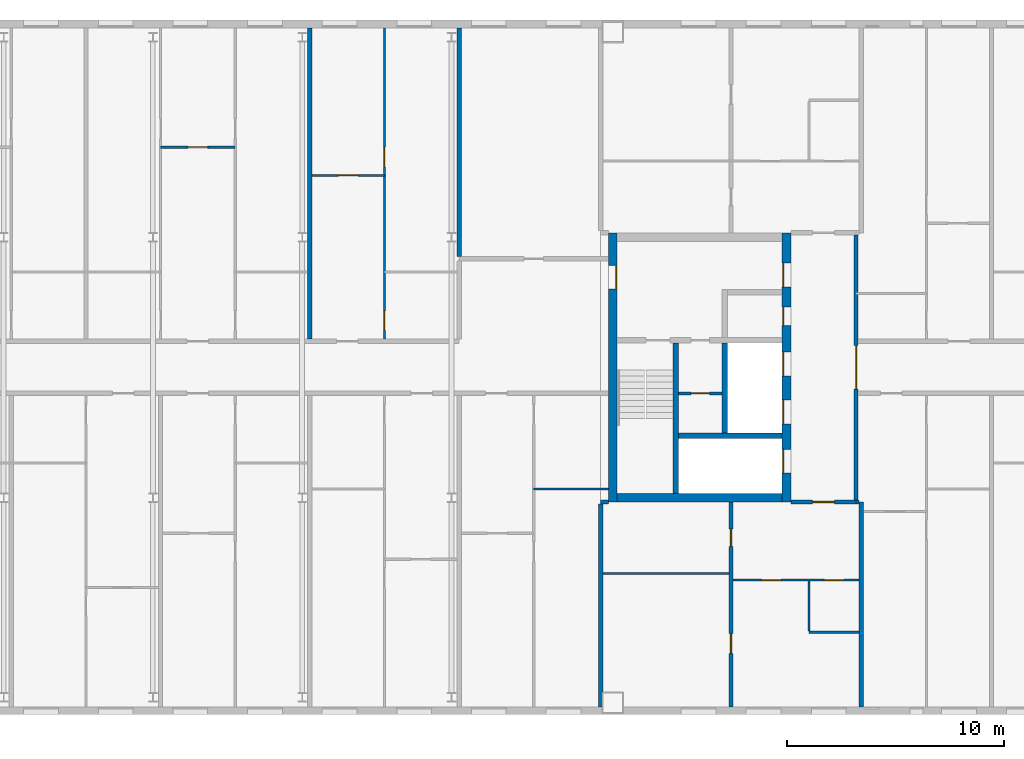
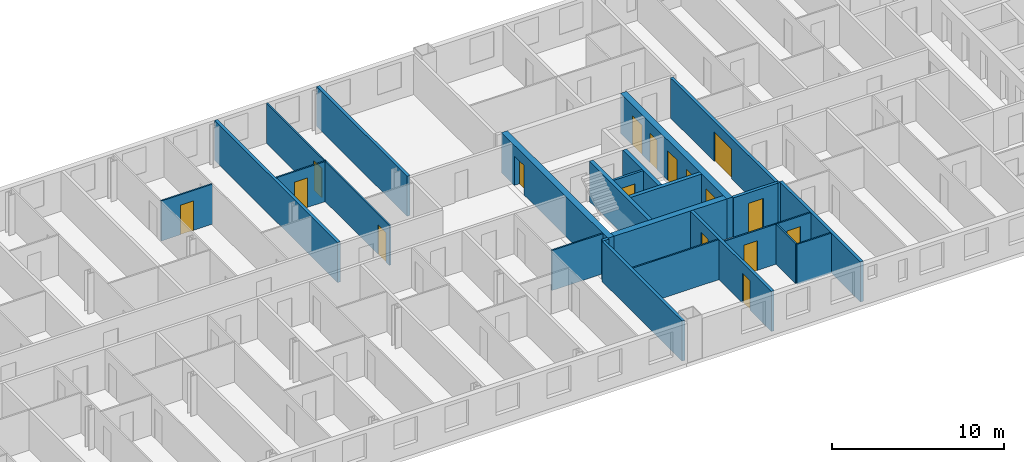
# One storey, part 13 of 19: 24 walls, 17 doors, 17 openings.
"""IFC4 building model written with IfcOpenShell, lengths in metres."""

from ifc_helpers import new_model, si_unit, direction, frame, frame_2d, origin, place, context, subcontext, project, spatial, rectangle, extrude, material, layer, layer_set, type_object, element, fill, save


model = new_model("IFC4")

# Units and contexts
model_context = context("Model", 3, precision=1e-05, world=origin(), true_north=direction((0.0, 1.0)))
body_context = subcontext(model_context, "Body", "Model", "MODEL_VIEW")
ifc_project = project(units=[si_unit("LENGTHUNIT", "METRE"), si_unit("AREAUNIT", "SQUARE_METRE"), si_unit("VOLUMEUNIT", "CUBIC_METRE"), si_unit("PLANEANGLEUNIT", "RADIAN"), si_unit("MASSUNIT", "GRAM", prefix="KILO")], contexts=[model_context])

# Site, building, storey
site_placement = place(None, origin())
site = spatial("IfcSite", under=ifc_project, at=site_placement, CompositionType="ELEMENT")
building_placement = place(site_placement, origin())
building = spatial("IfcBuilding", under=site, at=building_placement, Name="Tuart Gate Housing", CompositionType="ELEMENT")
storey_placement = place(building_placement, frame((0.0, 0.0, 224.5)))
storey = spatial("IfcBuildingStorey", under=building, at=storey_placement, Name="L63", CompositionType="ELEMENT", Elevation=224.5)

# Wall, opening, door
ifc_material_1 = material(Name="Plasterboard partition")
ifc_layer_1 = layer(ifc_material_1, 0.14990234375)
ifc_layer_set_1 = layer_set([ifc_layer_1], Name="Core partition 150")
wall_type_1 = type_object("IfcWallType", Name="Core partition 150", PredefinedType="PARTITIONING", material=ifc_layer_set_1)
wall_1_placement = place(storey_placement, frame((136.5849609375, 68.800048828125, 0.0), z_axis=(0.0, 0.0, 1.0), x_axis=(-1.0, 0.0, 0.0)))
wall_1 = element("IfcWall", 1, at=wall_1_placement, inside=storey, type_object=wall_type_1, Name="Core partition BG.2", PredefinedType="PARTITIONING", context=body_context, shape_type="SweptSolid", body=[
    extrude(rectangle(XDim=2.0, YDim=0.14990234375, at=frame_2d((1.0, 0.0))), origin(), (0.0, 0.0, 1.0), 2.85009765625),
])
opening_1_placement = place(wall_1_placement, frame((0.574951171875, 0.0, 0.0)))
opening_1 = element("IfcOpeningElement", 2, at=opening_1_placement, cuts=wall_1, Name="Opening D2421", PredefinedType="OPENING", context=body_context, shape_type="SweptSolid", body=[
    extrude(rectangle(XDim=0.85009765625, YDim=2.10009765625, at=frame_2d((0.425048828125, 1.050048828125))), frame((0.0, 0.0849609375, 0.0), z_axis=(0.0, -1.0, 0.0), x_axis=(1.0, 0.0, 0.0)), (0.0, 0.0, 1.0), 0.169921875),
])
ifc_material_2 = material(Name="Steel fire door", Category="steel")
door_type_1 = type_object("IfcDoorType", Name="Service door 850 x 2100 RH", OperationType="SINGLE_SWING_RIGHT", PredefinedType="DOOR", material=ifc_material_2)
door_1_placement = place(opening_1_placement, frame((0.85009765625, 0.0, 0.0), z_axis=(0.0, 0.0, 1.0), x_axis=(-1.0, 0.0, 0.0)))
door_1 = element("IfcDoor", 3, at=door_1_placement, inside=storey, type_object=door_type_1, Name="Service room door BG.W2", OperationType="SINGLE_SWING_RIGHT", OverallHeight=2.10009765625, OverallWidth=0.85009765625, PredefinedType="DOOR", context=body_context, shape_type="SweptSolid", body=[
    extrude(rectangle(XDim=0.85009765625, YDim=2.10009765625, at=frame_2d((0.425048828125, 1.050048828125))), frame((0.0, 0.025146484375, 0.0), z_axis=(0.0, -1.0, 0.0), x_axis=(1.0, 0.0, 0.0)), (0.0, 0.0, 1.0), 0.050048828125),
])
fill(opening_1, door_1)

# Walls
ifc_material_3 = material(Name="Concrete C40", Category="concrete")
ifc_layer_2 = layer(ifc_material_3, 0.25)
ifc_layer_set_2 = layer_set([ifc_layer_2], Name="Core wall 250 C40")
wall_type_2 = type_object("IfcWallType", Name="Core wall 250 C40", PredefinedType="SHEAR", material=ifc_layer_set_2)
wall_2_placement = place(storey_placement, frame((139.360107421875, 66.85009765625, 0.0), z_axis=(0.0, 0.0, 1.0), x_axis=(-1.0, 0.0, 0.0)))
element("IfcWall", 4, at=wall_2_placement, inside=storey, type_object=wall_type_2, Name="Core wall BG.1", PredefinedType="SHEAR", context=body_context, shape_type="SweptSolid", body=[
    extrude(rectangle(XDim=4.775146484375, YDim=0.25, at=frame_2d((2.3876953125, 0.0))), origin(), (0.0, 0.0, 1.0), 2.85009765625),
])
wall_3_placement = place(storey_placement, frame((136.7099609375, 66.97509765625, 0.0), z_axis=(0.0, 0.0, 1.0), x_axis=(0.0, 1.0, 0.0)))
element("IfcWall", 5, at=wall_3_placement, inside=storey, type_object=wall_type_2, Name="Core wall BG.5", PredefinedType="SHEAR", context=body_context, shape_type="SweptSolid", body=[
    extrude(rectangle(XDim=4.14990234375, YDim=0.25, at=frame_2d((2.074951171875, 0.0))), origin(), (0.0, 0.0, 1.0), 2.85009765625),
])
wall_4_placement = place(storey_placement, frame((134.4599609375, 64.199951171875, 0.0), z_axis=(0.0, 0.0, 1.0), x_axis=(0.0, 1.0, 0.0)))
element("IfcWall", 6, at=wall_4_placement, inside=storey, type_object=wall_type_2, Name="Core wall BG.7", PredefinedType="SHEAR", context=body_context, shape_type="SweptSolid", body=[
    extrude(rectangle(XDim=6.925048828125, YDim=0.25, at=frame_2d((3.46240234375, 0.0))), origin(), (0.0, 0.0, 1.0), 2.85009765625),
])

# Wall, openings, doors
ifc_material_4 = material(Name="Concrete C40", Category="concrete")
ifc_layer_3 = layer(ifc_material_4, 0.39990234375)
ifc_layer_set_3 = layer_set([ifc_layer_3], Name="Core wall 400 C40")
wall_type_3 = type_object("IfcWallType", Name="Core wall 400 C40", PredefinedType="SHEAR", material=ifc_layer_set_3)
wall_5_placement = place(storey_placement, frame((139.56005859375, 63.800048828125, 0.0), z_axis=(0.0, 0.0, 1.0), x_axis=(0.0, 1.0, 0.0)))
wall_5 = element("IfcWall", 7, at=wall_5_placement, inside=storey, type_object=wall_type_3, Name="Core wall BG front", PredefinedType="SHEAR", context=body_context, shape_type="SweptSolid", body=[
    extrude(rectangle(XDim=12.39990234375, YDim=0.39990234375, at=frame_2d((6.199951171875, 0.0))), origin(), (0.0, 0.0, 1.0), 2.85009765625),
])
opening_2_placement = place(wall_5_placement, frame((1.324951171875, 0.0, 0.0)))
opening_2 = element("IfcOpeningElement", 8, at=opening_2_placement, cuts=wall_5, Name="Opening LD-FB1", PredefinedType="OPENING", context=body_context, shape_type="SweptSolid", body=[
    extrude(rectangle(XDim=1.10009765625, YDim=2.10009765625, at=frame_2d((0.550048828125, 1.050048828125))), frame((0.0, 0.2099609375, 0.0), z_axis=(0.0, -1.0, 0.0), x_axis=(1.0, 0.0, 0.0)), (0.0, 0.0, 1.0), 0.419921875),
])
opening_3_placement = place(wall_5_placement, frame((3.60009765625, 0.0, 0.0)))
opening_3 = element("IfcOpeningElement", 9, at=opening_3_placement, cuts=wall_5, Name="Opening LD-LB1", PredefinedType="OPENING", context=body_context, shape_type="SweptSolid", body=[
    extrude(rectangle(XDim=1.10009765625, YDim=2.10009765625, at=frame_2d((0.550048828125, 1.050048828125))), frame((0.0, 0.2099609375, 0.0), z_axis=(0.0, -1.0, 0.0), x_axis=(1.0, 0.0, 0.0)), (0.0, 0.0, 1.0), 0.419921875),
])
opening_4_placement = place(wall_5_placement, frame((5.800048828125, 0.0, 0.0)))
opening_4 = element("IfcOpeningElement", 10, at=opening_4_placement, cuts=wall_5, Name="Opening LD-LB2", PredefinedType="OPENING", context=body_context, shape_type="SweptSolid", body=[
    extrude(rectangle(XDim=1.10009765625, YDim=2.10009765625, at=frame_2d((0.550048828125, 1.050048828125))), frame((0.0, 0.2099609375, 0.0), z_axis=(0.0, -1.0, 0.0), x_axis=(1.0, 0.0, 0.0)), (0.0, 0.0, 1.0), 0.419921875),
])
opening_5_placement = place(wall_5_placement, frame((9.89990234375, 0.0, 0.0)))
opening_5 = element("IfcOpeningElement", 11, at=opening_5_placement, cuts=wall_5, Name="Opening D2413", PredefinedType="OPENING", context=body_context, shape_type="SweptSolid", body=[
    extrude(rectangle(XDim=1.10009765625, YDim=2.10009765625, at=frame_2d((0.550048828125, 1.050048828125))), frame((0.0, 0.2099609375, 0.0), z_axis=(0.0, -1.0, 0.0), x_axis=(1.0, 0.0, 0.0)), (0.0, 0.0, 1.0), 0.419921875),
])
opening_6_placement = place(wall_5_placement, frame((8.125, 0.0, 0.0)))
opening_6 = element("IfcOpeningElement", 12, at=opening_6_placement, cuts=wall_5, Name="Opening D2414", PredefinedType="OPENING", context=body_context, shape_type="SweptSolid", body=[
    extrude(rectangle(XDim=0.85009765625, YDim=2.10009765625, at=frame_2d((0.425048828125, 1.050048828125))), frame((0.0, 0.2099609375, 0.0), z_axis=(0.0, -1.0, 0.0), x_axis=(1.0, 0.0, 0.0)), (0.0, 0.0, 1.0), 0.419921875),
])
ifc_material_5 = material(Name="Stainless steel", Category="steel")
door_type_2 = type_object("IfcDoorType", Name="Landing door 1100 x 2100", OperationType="DOUBLE_DOOR_SLIDING", PredefinedType="DOOR", material=ifc_material_5)
door_2_placement = place(opening_2_placement, origin())
door_2 = element("IfcDoor", 13, at=door_2_placement, inside=storey, type_object=door_type_2, Name="Lift landing door FB1", OperationType="DOUBLE_DOOR_SLIDING", OverallHeight=2.10009765625, OverallWidth=1.10009765625, PredefinedType="DOOR", context=body_context, shape_type="SweptSolid", body=[
    extrude(rectangle(XDim=1.10009765625, YDim=2.10009765625, at=frame_2d((0.550048828125, 1.050048828125))), frame((0.0, 0.18505859375, 0.0), z_axis=(0.0, -1.0, 0.0), x_axis=(1.0, 0.0, 0.0)), (0.0, 0.0, 1.0), 0.050048828125),
])
fill(opening_2, door_2)
door_3_placement = place(opening_3_placement, origin())
door_3 = element("IfcDoor", 14, at=door_3_placement, inside=storey, type_object=door_type_2, Name="Lift landing door LB1", OperationType="DOUBLE_DOOR_SLIDING", OverallHeight=2.10009765625, OverallWidth=1.10009765625, PredefinedType="DOOR", context=body_context, shape_type="SweptSolid", body=[
    extrude(rectangle(XDim=1.10009765625, YDim=2.10009765625, at=frame_2d((0.550048828125, 1.050048828125))), frame((0.0, 0.18505859375, 0.0), z_axis=(0.0, -1.0, 0.0), x_axis=(1.0, 0.0, 0.0)), (0.0, 0.0, 1.0), 0.050048828125),
])
fill(opening_3, door_3)
door_4_placement = place(opening_4_placement, origin())
door_4 = element("IfcDoor", 15, at=door_4_placement, inside=storey, type_object=door_type_2, Name="Lift landing door LB2", OperationType="DOUBLE_DOOR_SLIDING", OverallHeight=2.10009765625, OverallWidth=1.10009765625, PredefinedType="DOOR", context=body_context, shape_type="SweptSolid", body=[
    extrude(rectangle(XDim=1.10009765625, YDim=2.10009765625, at=frame_2d((0.550048828125, 1.050048828125))), frame((0.0, 0.18505859375, 0.0), z_axis=(0.0, -1.0, 0.0), x_axis=(1.0, 0.0, 0.0)), (0.0, 0.0, 1.0), 0.050048828125),
])
fill(opening_4, door_4)
ifc_material_6 = material(Name="Steel fire door", Category="steel")
door_type_3 = type_object("IfcDoorType", Name="Lobby door 1100 x 2100", OperationType="SINGLE_SWING_LEFT", PredefinedType="DOOR", material=ifc_material_6)
door_5_placement = place(opening_5_placement, origin())
door_5 = element("IfcDoor", 16, at=door_5_placement, inside=storey, type_object=door_type_3, Name="Lobby entry door BG.EN", OperationType="SINGLE_SWING_LEFT", OverallHeight=2.10009765625, OverallWidth=1.10009765625, PredefinedType="DOOR", context=body_context, shape_type="SweptSolid", body=[
    extrude(rectangle(XDim=1.10009765625, YDim=2.10009765625, at=frame_2d((0.550048828125, 1.050048828125))), frame((0.0, 0.18505859375, 0.0), z_axis=(0.0, -1.0, 0.0), x_axis=(1.0, 0.0, 0.0)), (0.0, 0.0, 1.0), 0.050048828125),
])
fill(opening_5, door_5)
ifc_material_7 = material(Name="Steel fire door", Category="steel")
door_type_4 = type_object("IfcDoorType", Name="Service door 850 x 2100", OperationType="SINGLE_SWING_LEFT", PredefinedType="DOOR", material=ifc_material_7)
door_6_placement = place(opening_6_placement, origin())
door_6 = element("IfcDoor", 17, at=door_6_placement, inside=storey, type_object=door_type_4, Name="Service room door BG.T1", OperationType="SINGLE_SWING_LEFT", OverallHeight=2.10009765625, OverallWidth=0.85009765625, PredefinedType="DOOR", context=body_context, shape_type="SweptSolid", body=[
    extrude(rectangle(XDim=0.85009765625, YDim=2.10009765625, at=frame_2d((0.425048828125, 1.050048828125))), frame((0.0, 0.18505859375, 0.0), z_axis=(0.0, -1.0, 0.0), x_axis=(1.0, 0.0, 0.0)), (0.0, 0.0, 1.0), 0.050048828125),
])
fill(opening_6, door_6)

# Wall, opening, door
wall_6_placement = place(storey_placement, frame((131.56005859375, 63.800048828125, 0.0), z_axis=(0.0, 0.0, 1.0), x_axis=(0.0, 1.0, 0.0)))
wall_6 = element("IfcWall", 18, at=wall_6_placement, inside=storey, type_object=wall_type_3, Name="Core wall BG back", PredefinedType="SHEAR", context=body_context, shape_type="SweptSolid", body=[
    extrude(rectangle(XDim=12.39990234375, YDim=0.39990234375, at=frame_2d((6.199951171875, 0.0))), origin(), (0.0, 0.0, 1.0), 2.85009765625),
])
opening_7_placement = place(wall_6_placement, frame((9.800048828125, 0.0, 0.0)))
opening_7 = element("IfcOpeningElement", 19, at=opening_7_placement, cuts=wall_6, Name="Opening D2412", PredefinedType="OPENING", context=body_context, shape_type="SweptSolid", body=[
    extrude(rectangle(XDim=1.10009765625, YDim=2.10009765625, at=frame_2d((0.550048828125, 1.050048828125))), frame((0.0, 0.2099609375, 0.0), z_axis=(0.0, -1.0, 0.0), x_axis=(1.0, 0.0, 0.0)), (0.0, 0.0, 1.0), 0.419921875),
])
door_7_placement = place(opening_7_placement, frame((1.10009765625, 0.0, 0.0), z_axis=(0.0, 0.0, 1.0), x_axis=(-1.0, 0.0, 0.0)))
door_7 = element("IfcDoor", 20, at=door_7_placement, inside=storey, type_object=door_type_3, Name="Link door BG.LK", OperationType="SINGLE_SWING_LEFT", OverallHeight=2.10009765625, OverallWidth=1.10009765625, PredefinedType="DOOR", context=body_context, shape_type="SweptSolid", body=[
    extrude(rectangle(XDim=1.10009765625, YDim=2.10009765625, at=frame_2d((0.550048828125, 1.050048828125))), frame((0.0, 0.184814453125, 0.0), z_axis=(0.0, -1.0, 0.0), x_axis=(1.0, 0.0, 0.0)), (0.0, 0.0, 1.0), 0.050048828125),
])
fill(opening_7, door_7)

# Wall
wall_7_placement = place(storey_placement, frame((139.360107421875, 64.0, 0.0), z_axis=(0.0, 0.0, 1.0), x_axis=(-1.0, 0.0, 0.0)))
element("IfcWall", 21, at=wall_7_placement, inside=storey, type_object=wall_type_3, Name="Core wall BG south", PredefinedType="SHEAR", context=body_context, shape_type="SweptSolid", body=[
    extrude(rectangle(XDim=7.60009765625, YDim=0.39990234375, at=frame_2d((3.800048828125, 0.0))), origin(), (0.0, 0.0, 1.0), 2.85009765625),
])

# Wall, opening, door
ifc_material_8 = material(Name="Concrete masonry 15 MPa", Category="masonry")
ifc_layer_4 = layer(ifc_material_8, 0.199951171875)
ifc_layer_set_4 = layer_set([ifc_layer_4], Name="Enclosure wall masonry 200")
wall_type_4 = type_object("IfcWallType", Name="Enclosure wall masonry 200", PredefinedType="PARTITIONING", material=ifc_layer_set_4)
wall_8_placement = place(storey_placement, frame((139.760009765625, 63.800048828125, 0.0), z_axis=(0.0, 0.0, 1.0), x_axis=(1.0, 0.0, 0.0)))
wall_8 = element("IfcWall", 22, at=wall_8_placement, inside=storey, type_object=wall_type_4, Name="Enclosure wall masonry 200", PredefinedType="PARTITIONING", context=body_context, shape_type="SweptSolid", body=[
    extrude(rectangle(XDim=3.0, YDim=0.199951171875, at=frame_2d((1.5, 0.0))), origin(), (0.0, 0.0, 1.0), 2.85009765625),
])
opening_8_placement = place(wall_8_placement, frame((1.0, 0.0, 0.0)))
opening_8 = element("IfcOpeningElement", 23, at=opening_8_placement, cuts=wall_8, Name="Opening D2426", PredefinedType="OPENING", context=body_context, shape_type="SweptSolid", body=[
    extrude(rectangle(XDim=1.0, YDim=2.10009765625, at=frame_2d((0.5, 1.050048828125))), frame((0.0, 0.10986328125, 0.0), z_axis=(0.0, -1.0, 0.0), x_axis=(1.0, 0.0, 0.0)), (0.0, 0.0, 1.0), 0.219970703125),
])
ifc_material_9 = material(Name="Timber door leaf in steel frame", Category="steel")
door_type_5 = type_object("IfcDoorType", Name="Flat entrance door 1000", OperationType="SINGLE_SWING_LEFT", PredefinedType="DOOR", material=ifc_material_9)
door_8_placement = place(opening_8_placement, frame((1.0, 0.0, 0.0), z_axis=(0.0, 0.0, 1.0), x_axis=(-1.0, 0.0, 0.0)))
door_8 = element("IfcDoor", 24, at=door_8_placement, inside=storey, type_object=door_type_5, Name="Flat entrance door", OperationType="SINGLE_SWING_LEFT", OverallHeight=2.10009765625, OverallWidth=1.0, PredefinedType="DOOR", context=body_context, shape_type="SweptSolid", body=[
    extrude(rectangle(XDim=1.0, YDim=2.10009765625, at=frame_2d((0.5, 1.050048828125))), frame((0.0, 0.025146484375, 0.0), z_axis=(0.0, -1.0, 0.0), x_axis=(1.0, 0.0, 0.0)), (0.0, 0.0, 1.0), 0.050048828125),
])
fill(opening_8, door_8)

ifc_material_10 = material(Name="Plasterboard partition")
ifc_layer_5 = layer(ifc_material_10, 0.199951171875)
ifc_layer_set_5 = layer_set([ifc_layer_5], Name="Lobby wall 200")
wall_type_5 = type_object("IfcWallType", Name="Lobby wall 200", PredefinedType="PARTITIONING", material=ifc_layer_set_5)
wall_9_placement = place(storey_placement, frame((142.760009765625, 63.89990234375, 0.0), z_axis=(0.0, 0.0, 1.0), x_axis=(0.0, 1.0, 0.0)))
wall_9 = element("IfcWall", 25, at=wall_9_placement, inside=storey, type_object=wall_type_5, Name="Lift lobby wall BG", PredefinedType="PARTITIONING", context=body_context, shape_type="SweptSolid", body=[
    extrude(rectangle(XDim=12.2001953125, YDim=0.199951171875, at=frame_2d((6.10009765625, 0.0))), origin(), (0.0, 0.0, 1.0), 2.85009765625),
])
opening_9_placement = place(wall_9_placement, frame((5.10009765625, 0.0, 0.0)))
opening_9 = element("IfcOpeningElement", 26, at=opening_9_placement, cuts=wall_9, Name="Opening D2415", PredefinedType="OPENING", context=body_context, shape_type="SweptSolid", body=[
    extrude(rectangle(XDim=2.0, YDim=2.10009765625, at=frame_2d((1.0, 1.050048828125))), frame((0.0, 0.10986328125, 0.0), z_axis=(0.0, -1.0, 0.0), x_axis=(1.0, 0.0, 0.0)), (0.0, 0.0, 1.0), 0.219970703125),
])
ifc_material_11 = material(Name="Steel fire door", Category="steel")
door_type_6 = type_object("IfcDoorType", Name="Smoke door 2000 x 2100", OperationType="DOUBLE_DOOR_SINGLE_SWING", PredefinedType="DOOR", material=ifc_material_11)
door_9_placement = place(opening_9_placement, origin())
door_9 = element("IfcDoor", 27, at=door_9_placement, inside=storey, type_object=door_type_6, Name="Lift lobby smoke door BG", OperationType="DOUBLE_DOOR_SINGLE_SWING", OverallHeight=2.10009765625, OverallWidth=2.0, PredefinedType="DOOR", context=body_context, shape_type="SweptSolid", body=[
    extrude(rectangle(XDim=2.0, YDim=2.10009765625, at=frame_2d((1.0, 1.050048828125))), frame((0.0, 0.02490234375, 0.0), z_axis=(0.0, -1.0, 0.0), x_axis=(1.0, 0.0, 0.0)), (0.0, 0.0, 1.0), 0.050048828125),
])
fill(opening_9, door_9)

# Wall
ifc_material_12 = material(Name="Gypsum board on steel studs", Category="steel")
ifc_layer_6 = layer(ifc_material_12, 0.10009765625)
ifc_layer_set_6 = layer_set([ifc_layer_6], Name="Partition 100")
wall_type_6 = type_object("IfcWallType", Name="Partition 100", PredefinedType="PARTITIONING", material=ifc_layer_set_6)
wall_10_placement = place(storey_placement, frame((140.60009765625, 57.800048828125, 0.0), z_axis=(0.0, 0.0, 1.0), x_axis=(1.0, 0.0, 0.0)))
element("IfcWall", 28, at=wall_10_placement, inside=storey, type_object=wall_type_6, Name="Partition 100", PredefinedType="PARTITIONING", context=body_context, shape_type="SweptSolid", body=[
    extrude(rectangle(XDim=2.2998046875, YDim=0.10009765625, at=frame_2d((1.14990234375, 0.0))), origin(), (0.0, 0.0, 1.0), 2.85009765625),
])

# Wall, openings, doors
wall_11_placement = place(storey_placement, frame((137.10009765625, 60.199951171875, 0.0), z_axis=(0.0, 0.0, 1.0), x_axis=(1.0, 0.0, 0.0)))
wall_11 = element("IfcWall", 29, at=wall_11_placement, inside=storey, type_object=wall_type_6, Name="Partition 100", PredefinedType="PARTITIONING", context=body_context, shape_type="SweptSolid", body=[
    extrude(rectangle(XDim=5.7998046875, YDim=0.10009765625, at=frame_2d((2.89990234375, 0.0))), origin(), (0.0, 0.0, 1.0), 2.85009765625),
])
opening_10_placement = place(wall_11_placement, frame((1.300048828125, 0.0, 0.0)))
opening_10 = element("IfcOpeningElement", 30, at=opening_10_placement, cuts=wall_11, Name="Opening D2435", PredefinedType="OPENING", context=body_context, shape_type="SweptSolid", body=[
    extrude(rectangle(XDim=0.89990234375, YDim=2.10009765625, at=frame_2d((0.449951171875, 1.050048828125))), frame((0.0, 0.06005859375, 0.0), z_axis=(0.0, -1.0, 0.0), x_axis=(1.0, 0.0, 0.0)), (0.0, 0.0, 1.0), 0.1201171875),
])
opening_11_placement = place(wall_11_placement, frame((4.199951171875, 0.0, 0.0)))
opening_11 = element("IfcOpeningElement", 31, at=opening_11_placement, cuts=wall_11, Name="Opening D2434", PredefinedType="OPENING", context=body_context, shape_type="SweptSolid", body=[
    extrude(rectangle(XDim=0.89990234375, YDim=2.10009765625, at=frame_2d((0.449951171875, 1.050048828125))), frame((0.0, 0.06005859375, 0.0), z_axis=(0.0, -1.0, 0.0), x_axis=(1.0, 0.0, 0.0)), (0.0, 0.0, 1.0), 0.1201171875),
])
ifc_material_13 = material(Name="Timber door leaf in steel frame", Category="steel")
door_type_7 = type_object("IfcDoorType", Name="Bathroom door 900 RH", OperationType="SINGLE_SWING_RIGHT", PredefinedType="DOOR", material=ifc_material_13)
door_10_placement = place(opening_11_placement, frame((0.89990234375, 0.0, 0.0), z_axis=(0.0, 0.0, 1.0), x_axis=(-1.0, 0.0, 0.0)))
door_10 = element("IfcDoor", 32, at=door_10_placement, inside=storey, type_object=door_type_7, Name="Bathroom door", OperationType="SINGLE_SWING_RIGHT", OverallHeight=2.10009765625, OverallWidth=0.89990234375, PredefinedType="DOOR", context=body_context, shape_type="SweptSolid", body=[
    extrude(rectangle(XDim=0.89990234375, YDim=2.10009765625, at=frame_2d((0.449951171875, 1.050048828125))), frame((0.0, 0.025146484375, 0.0), z_axis=(0.0, -1.0, 0.0), x_axis=(1.0, 0.0, 0.0)), (0.0, 0.0, 1.0), 0.050048828125),
])
fill(opening_11, door_10)
ifc_material_14 = material(Name="Timber door leaf in steel frame", Category="steel")
door_type_8 = type_object("IfcDoorType", Name="Internal door 900", OperationType="SINGLE_SWING_LEFT", PredefinedType="DOOR", material=ifc_material_14)
door_11_placement = place(opening_10_placement, origin())
door_11 = element("IfcDoor", 33, at=door_11_placement, inside=storey, type_object=door_type_8, Name="Internal door", OperationType="SINGLE_SWING_LEFT", OverallHeight=2.10009765625, OverallWidth=0.89990234375, PredefinedType="DOOR", context=body_context, shape_type="SweptSolid", body=[
    extrude(rectangle(XDim=0.89990234375, YDim=2.10009765625, at=frame_2d((0.449951171875, 1.050048828125))), frame((0.0, 0.02490234375, 0.0), z_axis=(0.0, -1.0, 0.0), x_axis=(1.0, 0.0, 0.0)), (0.0, 0.0, 1.0), 0.050048828125),
])
fill(opening_10, door_11)

# Walls
wall_12_placement = place(storey_placement, frame((131.10009765625, 60.5, 0.0), z_axis=(0.0, 0.0, 1.0), x_axis=(1.0, 0.0, 0.0)))
element("IfcWall", 34, at=wall_12_placement, inside=storey, type_object=wall_type_6, Name="Partition 100", PredefinedType="PARTITIONING", context=body_context, shape_type="SweptSolid", body=[
    extrude(rectangle(XDim=5.7998046875, YDim=0.10009765625, at=frame_2d((2.89990234375, 0.0))), origin(), (0.0, 0.0, 1.0), 2.85009765625),
])
wall_13_placement = place(storey_placement, frame((127.912109375, 64.39990234375, 0.0), z_axis=(0.0, 0.0, 1.0), x_axis=(1.0, 0.0, 0.0)))
element("IfcWall", 35, at=wall_13_placement, inside=storey, type_object=wall_type_6, Name="Partition 100", PredefinedType="PARTITIONING", context=body_context, shape_type="SweptSolid", body=[
    extrude(rectangle(XDim=3.447998046875, YDim=0.10009765625, at=frame_2d((1.72412109375, 0.0))), origin(), (0.0, 0.0, 1.0), 2.85009765625),
])

# Wall, opening, door
wall_14_placement = place(storey_placement, frame((117.699951171875, 78.840087890625, 0.0), z_axis=(0.0, 0.0, 1.0), x_axis=(1.0, 0.0, 0.0)))
wall_14 = element("IfcWall", 36, at=wall_14_placement, inside=storey, type_object=wall_type_6, Name="Partition 100", PredefinedType="PARTITIONING", context=body_context, shape_type="SweptSolid", body=[
    extrude(rectangle(XDim=3.337158203125, YDim=0.10009765625, at=frame_2d((1.66845703125, 0.0))), origin(), (0.0, 0.0, 1.0), 2.85009765625),
])
opening_12_placement = place(wall_14_placement, frame((1.218505859375, 0.0, 0.0)))
opening_12 = element("IfcOpeningElement", 37, at=opening_12_placement, cuts=wall_14, Name="Opening D2335", PredefinedType="OPENING", context=body_context, shape_type="SweptSolid", body=[
    extrude(rectangle(XDim=0.89990234375, YDim=2.10009765625, at=frame_2d((0.449951171875, 1.050048828125))), frame((0.0, 0.06005859375, 0.0), z_axis=(0.0, -1.0, 0.0), x_axis=(1.0, 0.0, 0.0)), (0.0, 0.0, 1.0), 0.1201171875),
])
door_12_placement = place(opening_12_placement, frame((0.89990234375, 0.0, 0.0), z_axis=(0.0, 0.0, 1.0), x_axis=(-1.0, 0.0, 0.0)))
door_12 = element("IfcDoor", 38, at=door_12_placement, inside=storey, type_object=door_type_8, Name="Internal door", OperationType="SINGLE_SWING_LEFT", OverallHeight=2.10009765625, OverallWidth=0.89990234375, PredefinedType="DOOR", context=body_context, shape_type="SweptSolid", body=[
    extrude(rectangle(XDim=0.89990234375, YDim=2.10009765625, at=frame_2d((0.449951171875, 1.050048828125))), frame((0.0, 0.025146484375, 0.0), z_axis=(0.0, -1.0, 0.0), x_axis=(1.0, 0.0, 0.0)), (0.0, 0.0, 1.0), 0.050048828125),
])
fill(opening_12, door_12)

wall_15_placement = place(storey_placement, frame((110.72509765625, 80.139892578125, 0.0), z_axis=(0.0, 0.0, 1.0), x_axis=(1.0, 0.0, 0.0)))
wall_15 = element("IfcWall", 39, at=wall_15_placement, inside=storey, type_object=wall_type_6, Name="Partition 100", PredefinedType="PARTITIONING", context=body_context, shape_type="SweptSolid", body=[
    extrude(rectangle(XDim=3.43701171875, YDim=0.10009765625, at=frame_2d((1.718505859375, 0.0))), origin(), (0.0, 0.0, 1.0), 2.85009765625),
])
opening_13_placement = place(wall_15_placement, frame((1.2685546875, 0.0, 0.0)))
opening_13 = element("IfcOpeningElement", 40, at=opening_13_placement, cuts=wall_15, Name="Opening D2334", PredefinedType="OPENING", context=body_context, shape_type="SweptSolid", body=[
    extrude(rectangle(XDim=0.89990234375, YDim=2.10009765625, at=frame_2d((0.449951171875, 1.050048828125))), frame((0.0, 0.06005859375, 0.0), z_axis=(0.0, -1.0, 0.0), x_axis=(1.0, 0.0, 0.0)), (0.0, 0.0, 1.0), 0.1201171875),
])
ifc_material_15 = material(Name="Timber door leaf in steel frame", Category="steel")
door_type_9 = type_object("IfcDoorType", Name="Internal door 900 RH", OperationType="SINGLE_SWING_RIGHT", PredefinedType="DOOR", material=ifc_material_15)
door_13_placement = place(opening_13_placement, frame((0.89990234375, 0.0, 0.0), z_axis=(0.0, 0.0, 1.0), x_axis=(-1.0, 0.0, 0.0)))
door_13 = element("IfcDoor", 41, at=door_13_placement, inside=storey, type_object=door_type_9, Name="Internal door", OperationType="SINGLE_SWING_RIGHT", OverallHeight=2.10009765625, OverallWidth=0.89990234375, PredefinedType="DOOR", context=body_context, shape_type="SweptSolid", body=[
    extrude(rectangle(XDim=0.89990234375, YDim=2.10009765625, at=frame_2d((0.449951171875, 1.050048828125))), frame((0.0, 0.025146484375, 0.0), z_axis=(0.0, -1.0, 0.0), x_axis=(1.0, 0.0, 0.0)), (0.0, 0.0, 1.0), 0.050048828125),
])
fill(opening_13, door_13)

# Wall, openings, doors
wall_16_placement = place(storey_placement, frame((121.037109375, 71.300048828125, 0.0), z_axis=(0.0, 0.0, 1.0), x_axis=(0.0, 1.0, 0.0)))
wall_16 = element("IfcWall", 42, at=wall_16_placement, inside=storey, type_object=wall_type_6, Name="Partition 100", PredefinedType="PARTITIONING", context=body_context, shape_type="SweptSolid", body=[
    extrude(rectangle(XDim=14.33984375, YDim=0.10009765625, at=frame_2d((7.169921875, 0.0))), origin(), (0.0, 0.0, 1.0), 2.85009765625),
])
opening_14_placement = place(wall_16_placement, frame((7.93994140625, 0.0, 0.0)))
opening_14 = element("IfcOpeningElement", 43, at=opening_14_placement, cuts=wall_16, Name="Opening D2349", PredefinedType="OPENING", context=body_context, shape_type="SweptSolid", body=[
    extrude(rectangle(XDim=0.89990234375, YDim=2.10009765625, at=frame_2d((0.449951171875, 1.050048828125))), frame((0.0, 0.06005859375, 0.0), z_axis=(0.0, -1.0, 0.0), x_axis=(1.0, 0.0, 0.0)), (0.0, 0.0, 1.0), 0.1201171875),
])
opening_15_placement = place(wall_16_placement, frame((0.39990234375, 0.0, 0.0)))
opening_15 = element("IfcOpeningElement", 44, at=opening_15_placement, cuts=wall_16, Name="Opening D2348", PredefinedType="OPENING", context=body_context, shape_type="SweptSolid", body=[
    extrude(rectangle(XDim=0.89990234375, YDim=2.10009765625, at=frame_2d((0.449951171875, 1.050048828125))), frame((0.0, 0.06005859375, 0.0), z_axis=(0.0, -1.0, 0.0), x_axis=(1.0, 0.0, 0.0)), (0.0, 0.0, 1.0), 0.1201171875),
])
door_14_placement = place(opening_15_placement, frame((0.89990234375, 0.0, 0.0), z_axis=(0.0, 0.0, 1.0), x_axis=(-1.0, 0.0, 0.0)))
door_14 = element("IfcDoor", 45, at=door_14_placement, inside=storey, type_object=door_type_7, Name="Bathroom door", OperationType="SINGLE_SWING_RIGHT", OverallHeight=2.10009765625, OverallWidth=0.89990234375, PredefinedType="DOOR", context=body_context, shape_type="SweptSolid", body=[
    extrude(rectangle(XDim=0.89990234375, YDim=2.10009765625, at=frame_2d((0.449951171875, 1.050048828125))), frame((0.0, 0.025146484375, 0.0), z_axis=(0.0, -1.0, 0.0), x_axis=(1.0, 0.0, 0.0)), (0.0, 0.0, 1.0), 0.050048828125),
])
fill(opening_15, door_14)
door_15_placement = place(opening_14_placement, frame((0.89990234375, 0.0, 0.0), z_axis=(0.0, 0.0, 1.0), x_axis=(-1.0, 0.0, 0.0)))
door_15 = element("IfcDoor", 46, at=door_15_placement, inside=storey, type_object=door_type_9, Name="Internal door", OperationType="SINGLE_SWING_RIGHT", OverallHeight=2.10009765625, OverallWidth=0.89990234375, PredefinedType="DOOR", context=body_context, shape_type="SweptSolid", body=[
    extrude(rectangle(XDim=0.89990234375, YDim=2.10009765625, at=frame_2d((0.449951171875, 1.050048828125))), frame((0.0, 0.025146484375, 0.0), z_axis=(0.0, -1.0, 0.0), x_axis=(1.0, 0.0, 0.0)), (0.0, 0.0, 1.0), 0.050048828125),
])
fill(opening_14, door_15)

# Wall
wall_17_placement = place(storey_placement, frame((140.60009765625, 57.85009765625, 0.0), z_axis=(0.0, 0.0, 1.0), x_axis=(0.0, 1.0, 0.0)))
element("IfcWall", 47, at=wall_17_placement, inside=storey, type_object=wall_type_6, Name="Partition 100", PredefinedType="PARTITIONING", context=body_context, shape_type="SweptSolid", body=[
    extrude(rectangle(XDim=2.2998046875, YDim=0.10009765625, at=frame_2d((1.14990234375, 0.0))), origin(), (0.0, 0.0, 1.0), 2.85009765625),
])

# Wall, openings, doors
ifc_material_16 = material(Name="Concrete C40", Category="concrete")
ifc_layer_7 = layer(ifc_material_16, 0.199951171875)
ifc_layer_set_7 = layer_set([ifc_layer_7], Name="Party wall concrete C40 200")
wall_type_7 = type_object("IfcWallType", Name="Party wall concrete C40 200", PredefinedType="SOLIDWALL", material=ifc_layer_set_7)
wall_18_placement = place(storey_placement, frame((137.0, 54.360107421875, 0.0), z_axis=(0.0, 0.0, 1.0), x_axis=(0.0, 1.0, 0.0)))
wall_18 = element("IfcWall", 48, at=wall_18_placement, inside=storey, type_object=wall_type_7, Name="Party wall concrete C40 200", PredefinedType="SOLIDWALL", context=body_context, shape_type="SweptSolid", body=[
    extrude(rectangle(XDim=9.43994140625, YDim=0.199951171875, at=frame_2d((4.719970703125, 0.0))), origin(), (0.0, 0.0, 1.0), 2.85009765625),
])
opening_16_placement = place(wall_18_placement, frame((2.469970703125, 0.0, 0.0)))
opening_16 = element("IfcOpeningElement", 49, at=opening_16_placement, cuts=wall_18, Name="Opening D2438", PredefinedType="OPENING", context=body_context, shape_type="SweptSolid", body=[
    extrude(rectangle(XDim=0.89990234375, YDim=2.10009765625, at=frame_2d((0.449951171875, 1.050048828125))), frame((0.0, 0.10986328125, 0.0), z_axis=(0.0, -1.0, 0.0), x_axis=(1.0, 0.0, 0.0)), (0.0, 0.0, 1.0), 0.219970703125),
])
opening_17_placement = place(wall_18_placement, frame((7.389892578125, 0.0, 0.0)))
opening_17 = element("IfcOpeningElement", 50, at=opening_17_placement, cuts=wall_18, Name="Opening D2439", PredefinedType="OPENING", context=body_context, shape_type="SweptSolid", body=[
    extrude(rectangle(XDim=0.800048828125, YDim=2.10009765625, at=frame_2d((0.39990234375, 1.050048828125))), frame((0.0, 0.10986328125, 0.0), z_axis=(0.0, -1.0, 0.0), x_axis=(1.0, 0.0, 0.0)), (0.0, 0.0, 1.0), 0.219970703125),
])
door_16_placement = place(opening_16_placement, origin())
door_16 = element("IfcDoor", 51, at=door_16_placement, inside=storey, type_object=door_type_8, Name="Internal door", OperationType="SINGLE_SWING_LEFT", OverallHeight=2.10009765625, OverallWidth=0.89990234375, PredefinedType="DOOR", context=body_context, shape_type="SweptSolid", body=[
    extrude(rectangle(XDim=0.89990234375, YDim=2.10009765625, at=frame_2d((0.449951171875, 1.050048828125))), frame((0.0, 0.02490234375, 0.0), z_axis=(0.0, -1.0, 0.0), x_axis=(1.0, 0.0, 0.0)), (0.0, 0.0, 1.0), 0.050048828125),
])
fill(opening_16, door_16)
ifc_material_17 = material(Name="Timber door leaf in steel frame", Category="steel")
door_type_10 = type_object("IfcDoorType", Name="Store door 800", OperationType="SINGLE_SWING_LEFT", PredefinedType="DOOR", material=ifc_material_17)
door_17_placement = place(opening_17_placement, origin())
door_17 = element("IfcDoor", 52, at=door_17_placement, inside=storey, type_object=door_type_10, Name="Store door", OperationType="SINGLE_SWING_LEFT", OverallHeight=2.10009765625, OverallWidth=0.800048828125, PredefinedType="DOOR", context=body_context, shape_type="SweptSolid", body=[
    extrude(rectangle(XDim=0.800048828125, YDim=2.10009765625, at=frame_2d((0.39990234375, 1.050048828125))), frame((0.0, 0.02490234375, 0.0), z_axis=(0.0, -1.0, 0.0), x_axis=(1.0, 0.0, 0.0)), (0.0, 0.0, 1.0), 0.050048828125),
])
fill(opening_17, door_17)

# Walls
wall_19_placement = place(storey_placement, frame((143.0, 54.360107421875, 0.0), z_axis=(0.0, 0.0, 1.0), x_axis=(0.0, 1.0, 0.0)))
element("IfcWall", 53, at=wall_19_placement, inside=storey, type_object=wall_type_7, Name="Party wall concrete C40 200", PredefinedType="SOLIDWALL", context=body_context, shape_type="SweptSolid", body=[
    extrude(rectangle(XDim=9.43994140625, YDim=0.199951171875, at=frame_2d((4.719970703125, 0.0))), origin(), (0.0, 0.0, 1.0), 2.85009765625),
])
ifc_material_18 = material(Name="Concrete masonry 15 MPa", Category="masonry")
ifc_layer_8 = layer(ifc_material_18, 0.199951171875)
ifc_layer_set_8 = layer_set([ifc_layer_8], Name="Party wall masonry 200")
wall_type_8 = type_object("IfcWallType", Name="Party wall masonry 200", PredefinedType="PARTITIONING", material=ifc_layer_set_8)
wall_20_placement = place(storey_placement, frame((131.0, 63.800048828125, 0.0), z_axis=(0.0, 0.0, 1.0), x_axis=(1.0, 0.0, 0.0)))
element("IfcWall", 54, at=wall_20_placement, inside=storey, type_object=wall_type_8, Name="Party wall masonry 200", PredefinedType="PARTITIONING", context=body_context, shape_type="SweptSolid", body=[
    extrude(rectangle(XDim=0.360107421875, YDim=0.199951171875, at=frame_2d((0.18017578125, 0.0))), origin(), (0.0, 0.0, 1.0), 2.85009765625),
])
wall_21_placement = place(storey_placement, frame((142.760009765625, 63.800048828125, 0.0), z_axis=(0.0, 0.0, 1.0), x_axis=(1.0, 0.0, 0.0)))
element("IfcWall", 55, at=wall_21_placement, inside=storey, type_object=wall_type_8, Name="Party wall masonry 200", PredefinedType="PARTITIONING", context=body_context, shape_type="SweptSolid", body=[
    extrude(rectangle(XDim=0.139892578125, YDim=0.199951171875, at=frame_2d((0.06982421875, 0.0))), origin(), (0.0, 0.0, 1.0), 2.85009765625),
])
wall_22_placement = place(storey_placement, frame((117.60009765625, 71.300048828125, 0.0), z_axis=(0.0, 0.0, 1.0), x_axis=(0.0, 1.0, 0.0)))
element("IfcWall", 56, at=wall_22_placement, inside=storey, type_object=wall_type_8, Name="Party wall masonry 200", PredefinedType="PARTITIONING", context=body_context, shape_type="SweptSolid", body=[
    extrude(rectangle(XDim=14.33984375, YDim=0.199951171875, at=frame_2d((7.169921875, 0.0))), origin(), (0.0, 0.0, 1.0), 2.85009765625),
])
wall_23_placement = place(storey_placement, frame((124.47509765625, 75.10009765625, 0.0), z_axis=(0.0, 0.0, 1.0), x_axis=(0.0, 1.0, 0.0)))
element("IfcWall", 57, at=wall_23_placement, inside=storey, type_object=wall_type_8, Name="Party wall masonry 200", PredefinedType="PARTITIONING", context=body_context, shape_type="SweptSolid", body=[
    extrude(rectangle(XDim=10.539794921875, YDim=0.199951171875, at=frame_2d((5.27001953125, 0.0))), origin(), (0.0, 0.0, 1.0), 2.85009765625),
])
wall_24_placement = place(storey_placement, frame((131.0, 54.360107421875, 0.0), z_axis=(0.0, 0.0, 1.0), x_axis=(0.0, 1.0, 0.0)))
element("IfcWall", 58, at=wall_24_placement, inside=storey, type_object=wall_type_8, Name="Party wall masonry 200", PredefinedType="PARTITIONING", context=body_context, shape_type="SweptSolid", body=[
    extrude(rectangle(XDim=9.33984375, YDim=0.199951171875, at=frame_2d((4.669921875, 0.0))), origin(), (0.0, 0.0, 1.0), 2.85009765625),
])

save(model, "model.ifc")
